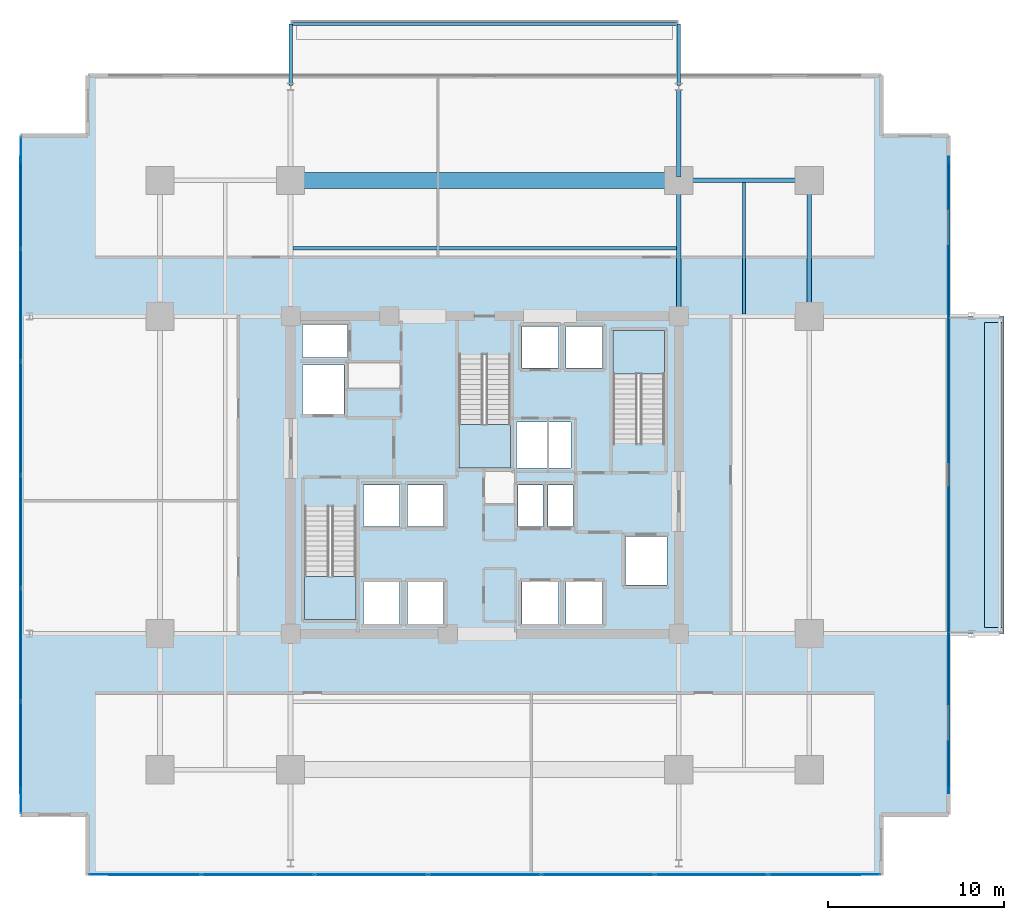
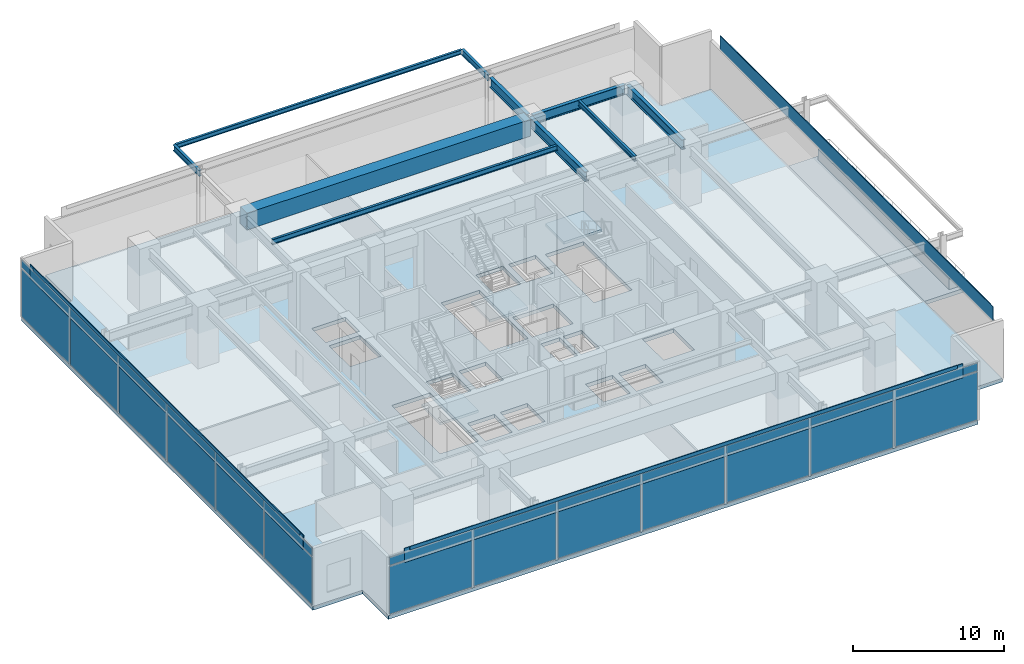
# One storey, part 11 of 20: 32 plates, 10 beams, 6 slabs, 5 elements without a shape of their own.
"""IFC4 building model written with IfcOpenShell, lengths in metres."""

from ifc_helpers import new_model, si_unit, direction, frame, origin, origin_2d, place, context, subcontext, project, spatial, polyline, rectangle, i_section, outline, extrude, material, layer, layer_set, material_profile, profile_set, type_object, element, aggregate, save


model = new_model("IFC4")

# Units and contexts
model_context = context("Model", 3, precision=1e-05, world=origin(), true_north=direction((0.0, 1.0)))
body_context = subcontext(model_context, "Body", "Model", "MODEL_VIEW")
ifc_project = project(units=[si_unit("LENGTHUNIT", "METRE"), si_unit("AREAUNIT", "SQUARE_METRE"), si_unit("VOLUMEUNIT", "CUBIC_METRE"), si_unit("PLANEANGLEUNIT", "RADIAN"), si_unit("MASSUNIT", "GRAM", prefix="KILO")], contexts=[model_context])

# Site, building, storey
site_placement = place(None, origin())
site = spatial("IfcSite", under=ifc_project, at=site_placement, CompositionType="ELEMENT")
building_placement = place(site_placement, origin())
building = spatial("IfcBuilding", under=site, at=building_placement, Name="Kovane Verandah Tower", CompositionType="ELEMENT")
storey_placement = place(building_placement, frame((0.0, 0.0, 123.39990234375)))
storey = spatial("IfcBuildingStorey", under=building, at=storey_placement, Name="L28", CompositionType="ELEMENT", Elevation=123.39990234375)

# Beams
ifc_material_1 = material(Name="Concrete C80/95", Category="concrete")
ifc_material_profile_1 = material_profile(ifc_material_1, rectangle(XDim=0.89990234375, YDim=1.35009765625, at=origin_2d()), Name="RCB900x1350")
ifc_profile_set_1 = profile_set([ifc_material_profile_1], Name="Concrete C80/95")
beam_type_1 = type_object("IfcBeamType", Name="BM-TR-900x1350", PredefinedType="BEAM", material=ifc_profile_set_1)
beam_1_placement = place(storey_placement, frame((29.179931640625, 44.199951171875, 4.10009765625), z_axis=(1.0, 0.0, 0.0), x_axis=(0.0, 1.0, 0.0)))
element("IfcBeam", 1, at=beam_1_placement, inside=storey, type_object=beam_type_1, Name="L28 Primary Tower Girder G-RN2", PredefinedType="BEAM", context=body_context, shape_type="SweptSolid", body=[
    extrude(rectangle(XDim=0.89990234375, YDim=1.35009765625, at=origin_2d()), origin(), (0.0, 0.0, 1.0), 21.64013671875),
])
ifc_material_2 = material(Name="Steel S355", Category="steel")
ifc_material_profile_2 = material_profile(ifc_material_2, i_section(OverallWidth=0.26806640625, OverallDepth=0.769775390625, WebThickness=0.015625, FlangeThickness=0.025390625, FilletRadius=0.0166015625, at=origin_2d()), Name="UB762x267x197")
ifc_profile_set_2 = profile_set([ifc_material_profile_2], Name="Steel S355")
beam_type_2 = type_object("IfcBeamType", Name="BM-UB762x197", PredefinedType="BEAM", material=ifc_profile_set_2)
beam_2_placement = place(storey_placement, frame((51.179931640625, 44.199951171875, 4.39013671875), z_axis=(1.0, 0.0, 0.0), x_axis=(0.0, 1.0, 0.0)))
element("IfcBeam", 2, at=beam_2_placement, inside=storey, type_object=beam_type_2, Name="L28 Primary Tower Girder G-RN3", PredefinedType="BEAM", context=body_context, shape_type="SweptSolid", body=[
    extrude(i_section(OverallWidth=0.26806640625, OverallDepth=0.769775390625, WebThickness=0.015625, FlangeThickness=0.025390625, FilletRadius=0.0166015625, at=origin_2d()), origin(), (0.0, 0.0, 1.0), 7.0400390625),
])
for number, where, z_axis, x_axis, name in (
    (3, (58.39990234375, 36.679931640625, 4.39013671875), (0.0, 1.0, 0.0), (-1.0, 0.0, 0.0), "L28 Primary Tower Girder G-RE3"),
    (4, (51.0, 36.679931640625, 4.39013671875), (0.0, 1.0, 0.0), (-1.0, 0.0, 0.0), "L28 Primary Tower Girder G-N2"),
):
    element("IfcBeam", number, at=place(storey_placement, frame(where, z_axis=z_axis, x_axis=x_axis)), inside=storey, type_object=beam_type_2, Name=name, PredefinedType="BEAM", context=body_context, shape_type="SweptSolid", body=[
        extrude(i_section(OverallWidth=0.26806640625, OverallDepth=0.769775390625, WebThickness=0.015625, FlangeThickness=0.025390625, FilletRadius=0.0166015625, at=origin_2d()), origin(), (0.0, 0.0, 1.0), 7.340087890625),
    ])
beam_3_placement = place(storey_placement, frame((51.0, 44.3798828125, 4.375244140625), z_axis=(0.0, 1.0, 0.0), x_axis=(-1.0, 0.0, 0.0)))
element("IfcBeam", 5, at=beam_3_placement, inside=storey, type_object=beam_type_2, Name="L28 Primary Tower Girder G-VN2", PredefinedType="BEAM", context=body_context, shape_type="SweptSolid", body=[
    extrude(i_section(OverallWidth=0.26806640625, OverallDepth=0.769775390625, WebThickness=0.015625, FlangeThickness=0.025390625, FilletRadius=0.0166015625, at=origin_2d()), origin(), (0.0, 0.0, 1.0), 4.940185546875),
])
ifc_material_profile_3 = material_profile(ifc_material_2, i_section(OverallWidth=0.179443359375, OverallDepth=0.412841796875, WebThickness=0.009521484375, FlangeThickness=0.01611328125, FilletRadius=0.01025390625, at=origin_2d()), Name="UB406x178x74")
ifc_profile_set_3 = profile_set([ifc_material_profile_3], Name="Steel S355")
beam_type_3 = type_object("IfcBeamType", Name="JST-UB406x74", PredefinedType="JOIST", material=ifc_profile_set_3)
beam_4_placement = place(storey_placement, frame((29.132080078125, 40.35009765625, 4.568603515625), z_axis=(1.0, 0.0, 0.0), x_axis=(0.0, 1.0, 0.0)))
element("IfcBeam", 6, at=beam_4_placement, inside=storey, type_object=beam_type_3, Name="L28 Secondary Composite Joist J-N1", PredefinedType="JOIST", context=body_context, shape_type="SweptSolid", body=[
    extrude(i_section(OverallWidth=0.179443359375, OverallDepth=0.412841796875, WebThickness=0.009521484375, FlangeThickness=0.01611328125, FilletRadius=0.01025390625, at=origin_2d()), origin(), (0.0, 0.0, 1.0), 21.73583984375),
])
beam_5_placement = place(storey_placement, frame((54.699951171875, 36.632080078125, 4.568603515625), z_axis=(0.0, 1.0, 0.0), x_axis=(-1.0, 0.0, 0.0)))
element("IfcBeam", 7, at=beam_5_placement, inside=storey, type_object=beam_type_3, Name="L28 Secondary Composite Joist J-NE1", PredefinedType="JOIST", context=body_context, shape_type="SweptSolid", body=[
    extrude(i_section(OverallWidth=0.179443359375, OverallDepth=0.412841796875, WebThickness=0.009521484375, FlangeThickness=0.01611328125, FilletRadius=0.01025390625, at=origin_2d()), origin(), (0.0, 0.0, 1.0), 7.43603515625),
])
ifc_material_profile_4 = material_profile(ifc_material_2, i_section(OverallWidth=0.19287109375, OverallDepth=0.46728515625, WebThickness=0.011474609375, FlangeThickness=0.01953125, FilletRadius=0.01025390625, at=origin_2d()), Name="UB457x191x98")
ifc_profile_set_4 = profile_set([ifc_material_profile_4], Name="Steel S355")
beam_type_4 = type_object("IfcBeamType", Name="JST-UB457x98", PredefinedType="JOIST", material=ifc_profile_set_4)
for number, where, z_axis, x_axis, name in (
    (8, (29.0, 49.580078125, 4.526611328125), (0.0, 1.0, 0.0), (-1.0, 0.0, 0.0), "L28 North Planter Girder 1"),
    (9, (51.0, 49.580078125, 4.526611328125), (0.0, 1.0, 0.0), (-1.0, 0.0, 0.0), "L28 North Planter Girder 2"),
):
    element("IfcBeam", number, at=place(storey_placement, frame(where, z_axis=z_axis, x_axis=x_axis)), inside=storey, type_object=beam_type_4, Name=name, PredefinedType="JOIST", context=body_context, shape_type="SweptSolid", body=[
        extrude(i_section(OverallWidth=0.19287109375, OverallDepth=0.46728515625, WebThickness=0.011474609375, FlangeThickness=0.01953125, FilletRadius=0.01025390625, at=origin_2d()), origin(), (0.0, 0.0, 1.0), 3.469970703125),
    ])
ifc_material_profile_5 = material_profile(ifc_material_2, i_section(OverallWidth=0.173095703125, OverallDepth=0.36328125, WebThickness=0.009033203125, FlangeThickness=0.015625, FilletRadius=0.01025390625, at=origin_2d()), Name="UB356x171x67")
ifc_profile_set_5 = profile_set([ifc_material_profile_5], Name="Steel S355")
beam_type_5 = type_object("IfcBeamType", Name="SPD-UB356x67", PredefinedType="USERDEFINED", material=ifc_profile_set_5)
beam_6_placement = place(storey_placement, frame((29.094482421875, 53.050048828125, 4.578369140625), z_axis=(1.0, 0.0, 0.0), x_axis=(0.0, 1.0, 0.0)))
element("IfcBeam", 10, at=beam_6_placement, inside=storey, type_object=beam_type_5, Name="L28 North Planter Edge Spandrel", ObjectType="SPANDREL", PredefinedType="USERDEFINED", context=body_context, shape_type="SweptSolid", body=[
    extrude(i_section(OverallWidth=0.173095703125, OverallDepth=0.36328125, WebThickness=0.009033203125, FlangeThickness=0.015625, FilletRadius=0.01025390625, at=origin_2d()), origin(), (0.0, 0.0, 1.0), 21.81103515625),
])

# Curtain wall, plates
ifc_material_3 = material(Name="Champagne Anodised Aluminium Frame with Low-E Clear Laminated Glass", Category="aluminium")
curtain_wall_type = type_object("IfcCurtainWallType", Name="CW-SYS-03-MID", PredefinedType="NOTDEFINED", material=ifc_material_3)
curtain_wall_1_placement = place(storey_placement, origin())
curtain_wall_1 = element("IfcCurtainWall", 11, at=curtain_wall_1_placement, inside=storey, type_object=curtain_wall_type, Name="L28 S Unitised Curtain Wall", PredefinedType="NOTDEFINED")
ifc_material_4 = material(Name="Pale Champagne Anodised Aluminium Insulated Spandrel", Category="aluminium")
ifc_layer_1 = layer(ifc_material_4, 0.0400390625)
ifc_layer_set_1 = layer_set([ifc_layer_1], Name="Pale Champagne Anodised Aluminium Insulated Spandrel")
plate_type_1 = type_object("IfcPlateType", Name="PL-CW-SPD-40", PredefinedType="SHEET", material=ifc_layer_set_1)
plate_1_placement = place(storey_placement, frame((20.7275390625, 4.86083984375, 4.044921875), z_axis=(0.0, 0.0, 1.0), x_axis=(1.0, 0.0, 0.0)))
plate_1 = element("IfcPlate", 12, at=plate_1_placement, type_object=plate_type_1, Name="L28 S Unitised Curtain Wall Spandrel Panel 1", PredefinedType="SHEET", context=body_context, shape_type="SweptSolid", body=[
    extrude(rectangle(XDim=6.2841796875, YDim=0.0400390625, at=origin_2d()), origin(), (0.0, 0.0, 1.0), 0.639892578125),
])
plate_2_placement = place(storey_placement, frame((27.151611328125, 4.86083984375, 4.044921875), z_axis=(0.0, 0.0, 1.0), x_axis=(1.0, 0.0, 0.0)))
plate_2 = element("IfcPlate", 13, at=plate_2_placement, type_object=plate_type_1, Name="L28 S Unitised Curtain Wall Spandrel Panel 2", PredefinedType="SHEET", context=body_context, shape_type="SweptSolid", body=[
    extrude(rectangle(XDim=6.2841796875, YDim=0.0400390625, at=origin_2d()), origin(), (0.0, 0.0, 1.0), 0.639892578125),
])
plate_3_placement = place(storey_placement, frame((33.57568359375, 4.86083984375, 4.044921875), z_axis=(0.0, 0.0, 1.0), x_axis=(1.0, 0.0, 0.0)))
plate_3 = element("IfcPlate", 14, at=plate_3_placement, type_object=plate_type_1, Name="L28 S Unitised Curtain Wall Spandrel Panel 3", PredefinedType="SHEET", context=body_context, shape_type="SweptSolid", body=[
    extrude(rectangle(XDim=6.2841796875, YDim=0.0400390625, at=origin_2d()), origin(), (0.0, 0.0, 1.0), 0.639892578125),
])
plate_4_placement = place(storey_placement, frame((40.0, 4.86083984375, 4.044921875), z_axis=(0.0, 0.0, 1.0), x_axis=(1.0, 0.0, 0.0)))
plate_4 = element("IfcPlate", 15, at=plate_4_placement, type_object=plate_type_1, Name="L28 S Unitised Curtain Wall Spandrel Panel 4", PredefinedType="SHEET", context=body_context, shape_type="SweptSolid", body=[
    extrude(rectangle(XDim=6.2841796875, YDim=0.0400390625, at=origin_2d()), origin(), (0.0, 0.0, 1.0), 0.639892578125),
])
plate_5_placement = place(storey_placement, frame((46.42431640625, 4.86083984375, 4.044921875), z_axis=(0.0, 0.0, 1.0), x_axis=(1.0, 0.0, 0.0)))
plate_5 = element("IfcPlate", 16, at=plate_5_placement, type_object=plate_type_1, Name="L28 S Unitised Curtain Wall Spandrel Panel 5", PredefinedType="SHEET", context=body_context, shape_type="SweptSolid", body=[
    extrude(rectangle(XDim=6.2841796875, YDim=0.0400390625, at=origin_2d()), origin(), (0.0, 0.0, 1.0), 0.639892578125),
])
plate_6_placement = place(storey_placement, frame((52.848388671875, 4.86083984375, 4.044921875), z_axis=(0.0, 0.0, 1.0), x_axis=(1.0, 0.0, 0.0)))
plate_6 = element("IfcPlate", 17, at=plate_6_placement, type_object=plate_type_1, Name="L28 S Unitised Curtain Wall Spandrel Panel 6", PredefinedType="SHEET", context=body_context, shape_type="SweptSolid", body=[
    extrude(rectangle(XDim=6.2841796875, YDim=0.0400390625, at=origin_2d()), origin(), (0.0, 0.0, 1.0), 0.639892578125),
])
plate_7_placement = place(storey_placement, frame((59.2724609375, 4.86083984375, 4.044921875), z_axis=(0.0, 0.0, 1.0), x_axis=(1.0, 0.0, 0.0)))
plate_7 = element("IfcPlate", 18, at=plate_7_placement, type_object=plate_type_1, Name="L28 S Unitised Curtain Wall Spandrel Panel 7", PredefinedType="SHEET", context=body_context, shape_type="SweptSolid", body=[
    extrude(rectangle(XDim=6.2841796875, YDim=0.0400390625, at=origin_2d()), origin(), (0.0, 0.0, 1.0), 0.639892578125),
])

curtain_wall_2_placement = place(storey_placement, origin())
curtain_wall_2 = element("IfcCurtainWall", 19, at=curtain_wall_2_placement, inside=storey, type_object=curtain_wall_type, Name="L28 W Unitised Curtain Wall", PredefinedType="NOTDEFINED")
plate_8_placement = place(storey_placement, frame((13.71533203125, 43.53271484375, 4.044921875), z_axis=(0.0, 0.0, 1.0), x_axis=(0.0, -1.0, 0.0)))
plate_8 = element("IfcPlate", 20, at=plate_8_placement, type_object=plate_type_1, Name="L28 W Unitised Curtain Wall Spandrel Panel 1", PredefinedType="SHEET", context=body_context, shape_type="SweptSolid", body=[
    extrude(rectangle(XDim=6.273193359375, YDim=0.0400390625, at=origin_2d()), origin(), (0.0, 0.0, 1.0), 0.639892578125),
])
plate_9_placement = place(storey_placement, frame((13.71533203125, 37.11962890625, 4.044921875), z_axis=(0.0, 0.0, 1.0), x_axis=(0.0, -1.0, 0.0)))
plate_9 = element("IfcPlate", 21, at=plate_9_placement, type_object=plate_type_1, Name="L28 W Unitised Curtain Wall Spandrel Panel 2", PredefinedType="SHEET", context=body_context, shape_type="SweptSolid", body=[
    extrude(rectangle(XDim=6.273193359375, YDim=0.0400390625, at=origin_2d()), origin(), (0.0, 0.0, 1.0), 0.639892578125),
])
plate_10_placement = place(storey_placement, frame((13.71533203125, 30.70654296875, 4.044921875), z_axis=(0.0, 0.0, 1.0), x_axis=(0.0, -1.0, 0.0)))
plate_10 = element("IfcPlate", 22, at=plate_10_placement, type_object=plate_type_1, Name="L28 W Unitised Curtain Wall Spandrel Panel 3", PredefinedType="SHEET", context=body_context, shape_type="SweptSolid", body=[
    extrude(rectangle(XDim=6.273193359375, YDim=0.0400390625, at=origin_2d()), origin(), (0.0, 0.0, 1.0), 0.639892578125),
])
plate_11_placement = place(storey_placement, frame((13.71533203125, 24.29345703125, 4.044921875), z_axis=(0.0, 0.0, 1.0), x_axis=(0.0, -1.0, 0.0)))
plate_11 = element("IfcPlate", 23, at=plate_11_placement, type_object=plate_type_1, Name="L28 W Unitised Curtain Wall Spandrel Panel 4", PredefinedType="SHEET", context=body_context, shape_type="SweptSolid", body=[
    extrude(rectangle(XDim=6.273193359375, YDim=0.0400390625, at=origin_2d()), origin(), (0.0, 0.0, 1.0), 0.639892578125),
])
plate_12_placement = place(storey_placement, frame((13.71533203125, 17.88037109375, 4.044921875), z_axis=(0.0, 0.0, 1.0), x_axis=(0.0, -1.0, 0.0)))
plate_12 = element("IfcPlate", 24, at=plate_12_placement, type_object=plate_type_1, Name="L28 W Unitised Curtain Wall Spandrel Panel 5", PredefinedType="SHEET", context=body_context, shape_type="SweptSolid", body=[
    extrude(rectangle(XDim=6.273193359375, YDim=0.0400390625, at=origin_2d()), origin(), (0.0, 0.0, 1.0), 0.639892578125),
])
plate_13_placement = place(storey_placement, frame((13.71533203125, 11.46728515625, 4.044921875), z_axis=(0.0, 0.0, 1.0), x_axis=(0.0, -1.0, 0.0)))
plate_13 = element("IfcPlate", 25, at=plate_13_placement, type_object=plate_type_1, Name="L28 W Unitised Curtain Wall Spandrel Panel 6", PredefinedType="SHEET", context=body_context, shape_type="SweptSolid", body=[
    extrude(rectangle(XDim=6.273193359375, YDim=0.0400390625, at=origin_2d()), origin(), (0.0, 0.0, 1.0), 0.639892578125),
])

# Plate
ifc_material_5 = material(Name="Clear Low-E Laminated Double Glazing", Category="glass")
ifc_layer_2 = layer(ifc_material_5, 0.031982421875)
ifc_layer_set_2 = layer_set([ifc_layer_2], Name="Clear Low-E Laminated Double Glazing")
plate_type_2 = type_object("IfcPlateType", Name="PL-CW-VIS-32", PredefinedType="CURTAIN_PANEL", material=ifc_layer_set_2)
plate_14_placement = place(storey_placement, frame((20.7275390625, 4.86083984375, 0.10009765625), z_axis=(0.0, 0.0, 1.0), x_axis=(1.0, 0.0, 0.0)))
plate_14 = element("IfcPlate", 26, at=plate_14_placement, type_object=plate_type_2, Name="L28 S Unitised Curtain Wall Vision Panel 1", PredefinedType="CURTAIN_PANEL", context=body_context, shape_type="SweptSolid", body=[
    extrude(rectangle(XDim=6.2841796875, YDim=0.031982421875, at=origin_2d()), origin(), (0.0, 0.0, 1.0), 3.844970703125),
])

plate_15_placement = place(storey_placement, frame((27.151611328125, 4.86083984375, 0.10009765625), z_axis=(0.0, 0.0, 1.0), x_axis=(1.0, 0.0, 0.0)))
plate_15 = element("IfcPlate", 27, at=plate_15_placement, type_object=plate_type_2, Name="L28 S Unitised Curtain Wall Vision Panel 2", PredefinedType="CURTAIN_PANEL", context=body_context, shape_type="SweptSolid", body=[
    extrude(rectangle(XDim=6.2841796875, YDim=0.031982421875, at=origin_2d()), origin(), (0.0, 0.0, 1.0), 3.844970703125),
])

plate_16_placement = place(storey_placement, frame((33.57568359375, 4.86083984375, 0.10009765625), z_axis=(0.0, 0.0, 1.0), x_axis=(1.0, 0.0, 0.0)))
plate_16 = element("IfcPlate", 28, at=plate_16_placement, type_object=plate_type_2, Name="L28 S Unitised Curtain Wall Vision Panel 3", PredefinedType="CURTAIN_PANEL", context=body_context, shape_type="SweptSolid", body=[
    extrude(rectangle(XDim=6.2841796875, YDim=0.031982421875, at=origin_2d()), origin(), (0.0, 0.0, 1.0), 3.844970703125),
])

plate_17_placement = place(storey_placement, frame((40.0, 4.86083984375, 0.10009765625), z_axis=(0.0, 0.0, 1.0), x_axis=(1.0, 0.0, 0.0)))
plate_17 = element("IfcPlate", 29, at=plate_17_placement, type_object=plate_type_2, Name="L28 S Unitised Curtain Wall Vision Panel 4", PredefinedType="CURTAIN_PANEL", context=body_context, shape_type="SweptSolid", body=[
    extrude(rectangle(XDim=6.2841796875, YDim=0.031982421875, at=origin_2d()), origin(), (0.0, 0.0, 1.0), 3.844970703125),
])

plate_18_placement = place(storey_placement, frame((46.42431640625, 4.86083984375, 0.10009765625), z_axis=(0.0, 0.0, 1.0), x_axis=(1.0, 0.0, 0.0)))
plate_18 = element("IfcPlate", 30, at=plate_18_placement, type_object=plate_type_2, Name="L28 S Unitised Curtain Wall Vision Panel 5", PredefinedType="CURTAIN_PANEL", context=body_context, shape_type="SweptSolid", body=[
    extrude(rectangle(XDim=6.2841796875, YDim=0.031982421875, at=origin_2d()), origin(), (0.0, 0.0, 1.0), 3.844970703125),
])

plate_19_placement = place(storey_placement, frame((52.848388671875, 4.86083984375, 0.10009765625), z_axis=(0.0, 0.0, 1.0), x_axis=(1.0, 0.0, 0.0)))
plate_19 = element("IfcPlate", 31, at=plate_19_placement, type_object=plate_type_2, Name="L28 S Unitised Curtain Wall Vision Panel 6", PredefinedType="CURTAIN_PANEL", context=body_context, shape_type="SweptSolid", body=[
    extrude(rectangle(XDim=6.2841796875, YDim=0.031982421875, at=origin_2d()), origin(), (0.0, 0.0, 1.0), 3.844970703125),
])

plate_20_placement = place(storey_placement, frame((59.2724609375, 4.86083984375, 0.10009765625), z_axis=(0.0, 0.0, 1.0), x_axis=(1.0, 0.0, 0.0)))
plate_20 = element("IfcPlate", 32, at=plate_20_placement, type_object=plate_type_2, Name="L28 S Unitised Curtain Wall Vision Panel 7", PredefinedType="CURTAIN_PANEL", context=body_context, shape_type="SweptSolid", body=[
    extrude(rectangle(XDim=6.2841796875, YDim=0.031982421875, at=origin_2d()), origin(), (0.0, 0.0, 1.0), 3.844970703125),
])

aggregate(curtain_wall_1, [plate_14, plate_1, plate_15, plate_2, plate_16, plate_3, plate_17, plate_4, plate_18, plate_5, plate_19, plate_6, plate_20, plate_7])

plate_21_placement = place(storey_placement, frame((13.71533203125, 43.53271484375, 0.10009765625), z_axis=(0.0, 0.0, 1.0), x_axis=(0.0, -1.0, 0.0)))
plate_21 = element("IfcPlate", 33, at=plate_21_placement, type_object=plate_type_2, Name="L28 W Unitised Curtain Wall Vision Panel 1", PredefinedType="CURTAIN_PANEL", context=body_context, shape_type="SweptSolid", body=[
    extrude(rectangle(XDim=6.273193359375, YDim=0.031982421875, at=origin_2d()), origin(), (0.0, 0.0, 1.0), 3.844970703125),
])

plate_22_placement = place(storey_placement, frame((13.71533203125, 37.11962890625, 0.10009765625), z_axis=(0.0, 0.0, 1.0), x_axis=(0.0, -1.0, 0.0)))
plate_22 = element("IfcPlate", 34, at=plate_22_placement, type_object=plate_type_2, Name="L28 W Unitised Curtain Wall Vision Panel 2", PredefinedType="CURTAIN_PANEL", context=body_context, shape_type="SweptSolid", body=[
    extrude(rectangle(XDim=6.273193359375, YDim=0.031982421875, at=origin_2d()), origin(), (0.0, 0.0, 1.0), 3.844970703125),
])

plate_23_placement = place(storey_placement, frame((13.71533203125, 30.70654296875, 0.10009765625), z_axis=(0.0, 0.0, 1.0), x_axis=(0.0, -1.0, 0.0)))
plate_23 = element("IfcPlate", 35, at=plate_23_placement, type_object=plate_type_2, Name="L28 W Unitised Curtain Wall Vision Panel 3", PredefinedType="CURTAIN_PANEL", context=body_context, shape_type="SweptSolid", body=[
    extrude(rectangle(XDim=6.273193359375, YDim=0.031982421875, at=origin_2d()), origin(), (0.0, 0.0, 1.0), 3.844970703125),
])

plate_24_placement = place(storey_placement, frame((13.71533203125, 24.29345703125, 0.10009765625), z_axis=(0.0, 0.0, 1.0), x_axis=(0.0, -1.0, 0.0)))
plate_24 = element("IfcPlate", 36, at=plate_24_placement, type_object=plate_type_2, Name="L28 W Unitised Curtain Wall Vision Panel 4", PredefinedType="CURTAIN_PANEL", context=body_context, shape_type="SweptSolid", body=[
    extrude(rectangle(XDim=6.273193359375, YDim=0.031982421875, at=origin_2d()), origin(), (0.0, 0.0, 1.0), 3.844970703125),
])

plate_25_placement = place(storey_placement, frame((13.71533203125, 17.88037109375, 0.10009765625), z_axis=(0.0, 0.0, 1.0), x_axis=(0.0, -1.0, 0.0)))
plate_25 = element("IfcPlate", 37, at=plate_25_placement, type_object=plate_type_2, Name="L28 W Unitised Curtain Wall Vision Panel 5", PredefinedType="CURTAIN_PANEL", context=body_context, shape_type="SweptSolid", body=[
    extrude(rectangle(XDim=6.273193359375, YDim=0.031982421875, at=origin_2d()), origin(), (0.0, 0.0, 1.0), 3.844970703125),
])

plate_26_placement = place(storey_placement, frame((13.71533203125, 11.46728515625, 0.10009765625), z_axis=(0.0, 0.0, 1.0), x_axis=(0.0, -1.0, 0.0)))
plate_26 = element("IfcPlate", 38, at=plate_26_placement, type_object=plate_type_2, Name="L28 W Unitised Curtain Wall Vision Panel 6", PredefinedType="CURTAIN_PANEL", context=body_context, shape_type="SweptSolid", body=[
    extrude(rectangle(XDim=6.273193359375, YDim=0.031982421875, at=origin_2d()), origin(), (0.0, 0.0, 1.0), 3.844970703125),
])

aggregate(curtain_wall_2, [plate_21, plate_8, plate_22, plate_9, plate_23, plate_10, plate_24, plate_11, plate_25, plate_12, plate_26, plate_13])

# Plates
ifc_material_6 = material(Name="Perforated Pale Champagne Anodised Aluminium Solar Screen", Category="aluminium")
ifc_layer_3 = layer(ifc_material_6, 0.050048828125)
ifc_layer_set_3 = layer_set([ifc_layer_3], Name="Perforated Pale Champagne Anodised Aluminium Solar Screen")
plate_type_3 = type_object("IfcPlateType", Name="PL-SCREEN-50", PredefinedType="USERDEFINED", material=ifc_layer_set_3)
plate_27_placement = place(storey_placement, frame((40.0, 4.845703125, 3.875244140625), z_axis=(0.0, 0.0, 1.0), x_axis=(1.0, 0.0, 0.0)))
element("IfcPlate", 39, at=plate_27_placement, inside=storey, type_object=plate_type_3, Name="L28 S Perforated Champagne-Gold Solar Screen", ObjectType="SCREEN", PredefinedType="USERDEFINED", context=body_context, shape_type="SweptSolid", body=[
    extrude(rectangle(XDim=42.569091796875, YDim=0.050048828125, at=origin_2d()), origin(), (0.0, 0.0, 1.0), 1.14990234375),
])
for number, where, z_axis, x_axis, name in (
    (40, (66.299560546875, 27.5, 3.875244140625), (0.0, 0.0, 1.0), (0.0, 1.0, 0.0), "L28 E Perforated Champagne-Gold Solar Screen"),
    (41, (13.700439453125, 27.5, 3.875244140625), (0.0, 0.0, 1.0), (0.0, -1.0, 0.0), "L28 W Perforated Champagne-Gold Solar Screen"),
):
    element("IfcPlate", number, at=place(storey_placement, frame(where, z_axis=z_axis, x_axis=x_axis)), inside=storey, type_object=plate_type_3, Name=name, ObjectType="SCREEN", PredefinedType="USERDEFINED", context=body_context, shape_type="SweptSolid", body=[
        extrude(rectangle(XDim=36.077880859375, YDim=0.050048828125, at=origin_2d()), origin(), (0.0, 0.0, 1.0), 1.14990234375),
    ])
ifc_material_7 = material(Name="Extruded Pale-Bronze Aluminium Aerofoil Sunshade", Category="aluminium")
ifc_layer_4 = layer(ifc_material_7, 0.06005859375)
ifc_layer_set_4 = layer_set([ifc_layer_4], Name="Extruded Pale-Bronze Aluminium Aerofoil Sunshade")
plate_type_4 = type_object("IfcPlateType", Name="PL-SUNSHADE-60", PredefinedType="USERDEFINED", material=ifc_layer_set_4)
plate_28_placement = place(storey_placement, frame((40.0, 4.8408203125, 4.7548828125), z_axis=(0.0, 0.0, 1.0), x_axis=(1.0, 0.0, 0.0)))
element("IfcPlate", 42, at=plate_28_placement, inside=storey, type_object=plate_type_4, Name="L28 S Subtropical Aerofoil Sunshade", ObjectType="SUNSHADE", PredefinedType="USERDEFINED", context=body_context, shape_type="SweptSolid", body=[
    extrude(rectangle(XDim=41.76904296875, YDim=0.06005859375, at=origin_2d()), origin(), (0.0, 0.0, 1.0), 0.280029296875),
])
for number, where, z_axis, x_axis, name in (
    (43, (66.3046875, 27.5, 4.7548828125), (0.0, 0.0, 1.0), (0.0, 1.0, 0.0), "L28 E Subtropical Aerofoil Sunshade"),
    (44, (13.6953125, 27.5, 4.7548828125), (0.0, 0.0, 1.0), (0.0, -1.0, 0.0), "L28 W Subtropical Aerofoil Sunshade"),
):
    element("IfcPlate", number, at=place(storey_placement, frame(where, z_axis=z_axis, x_axis=x_axis)), inside=storey, type_object=plate_type_4, Name=name, ObjectType="SUNSHADE", PredefinedType="USERDEFINED", context=body_context, shape_type="SweptSolid", body=[
        extrude(rectangle(XDim=35.278076171875, YDim=0.06005859375, at=origin_2d()), origin(), (0.0, 0.0, 1.0), 0.280029296875),
    ])

# Slabs
ifc_material_8 = material(Name="Concrete C45/55", Category="concrete")
ifc_layer_5 = layer(ifc_material_8, 0.300048828125)
ifc_layer_set_5 = layer_set([ifc_layer_5], Name="Concrete C45/55")
slab_type_1 = type_object("IfcSlabType", Name="SL-BALC-300", PredefinedType="FLOOR", material=ifc_layer_set_5)
slab_1_placement = place(storey_placement, frame((0.0, 0.0, -0.2998046875)))
element("IfcSlab", 45, at=slab_1_placement, inside=storey, type_object=slab_type_1, Name="L28 E Planted Verandah Balcony Slab", PredefinedType="FLOOR", context=body_context, shape_type="SweptSolid", body=[
    extrude(outline(polyline([(66.28466796875, 18.5), (69.4345703125, 18.5), (69.4345703125, 36.5), (66.28466796875, 36.5), (66.28466796875, 18.5)])), origin(), (0.0, 0.0, 1.0), 0.2998046875),
])
ifc_material_9 = material(Name="Concrete C60/75", Category="concrete")
ifc_layer_6 = layer(ifc_material_9, 0.300048828125)
ifc_layer_set_6 = layer_set([ifc_layer_6], Name="Concrete C60/75")
slab_type_2 = type_object("IfcSlabType", Name="SL-HVY-300", PredefinedType="FLOOR", material=ifc_layer_set_6)
slab_2_placement = place(storey_placement, frame((0.0, 0.0, -0.2998046875)))
element("IfcSlab", 46, at=slab_2_placement, inside=storey, type_object=slab_type_2, Name="L28 Structural Floor Slab", PredefinedType="FLOOR", context=body_context, shape_type="SweptSolid", body=[
    extrude(outline(polyline([(17.515380859375, 4.86083984375), (62.484619140625, 4.86083984375), (62.484619140625, 8.2607421875), (66.28466796875, 8.2607421875), (66.28466796875, 46.7392578125), (62.484619140625, 46.7392578125), (62.484619140625, 50.13916015625), (17.515380859375, 50.13916015625), (17.515380859375, 46.7392578125), (13.71533203125, 46.7392578125), (13.71533203125, 8.2607421875), (17.515380859375, 8.2607421875), (17.515380859375, 4.86083984375)]), holes=[polyline([(29.800048828125, 19.300048828125), (32.719970703125, 19.300048828125), (32.719970703125, 25.705078125), (29.800048828125, 25.705078125), (29.800048828125, 19.300048828125)]), polyline([(47.280029296875, 29.294921875), (50.199951171875, 29.294921875), (50.199951171875, 35.699951171875), (47.280029296875, 35.699951171875), (47.280029296875, 29.294921875)]), polyline([(38.5400390625, 27.89990234375), (41.4599609375, 27.89990234375), (41.4599609375, 34.304931640625), (38.5400390625, 34.304931640625), (38.5400390625, 27.89990234375)]), polyline([(29.669921875, 30.969970703125), (32.030029296875, 30.969970703125), (32.030029296875, 33.72998046875), (29.669921875, 33.72998046875), (29.669921875, 30.969970703125)]), polyline([(47.969970703125, 21.27001953125), (50.330078125, 21.27001953125), (50.330078125, 24.030029296875), (47.969970703125, 24.030029296875), (47.969970703125, 21.27001953125)]), polyline([(29.669921875, 34.169921875), (32.22998046875, 34.169921875), (32.22998046875, 36.030029296875), (29.669921875, 36.030029296875), (29.669921875, 34.169921875)]), polyline([(33.1201171875, 19.070068359375), (35.179931640625, 19.070068359375), (35.179931640625, 21.429931640625), (33.1201171875, 21.429931640625), (33.1201171875, 19.070068359375)]), polyline([(35.6201171875, 19.070068359375), (37.679931640625, 19.070068359375), (37.679931640625, 21.429931640625), (35.6201171875, 21.429931640625), (35.6201171875, 19.070068359375)]), polyline([(33.1201171875, 24.570068359375), (35.179931640625, 24.570068359375), (35.179931640625, 26.929931640625), (33.1201171875, 26.929931640625), (33.1201171875, 24.570068359375)]), polyline([(35.6201171875, 24.570068359375), (37.679931640625, 24.570068359375), (37.679931640625, 26.929931640625), (35.6201171875, 26.929931640625), (35.6201171875, 24.570068359375)]), polyline([(42.1201171875, 19.070068359375), (44.179931640625, 19.070068359375), (44.179931640625, 21.429931640625), (42.1201171875, 21.429931640625), (42.1201171875, 19.070068359375)]), polyline([(44.6201171875, 19.070068359375), (46.679931640625, 19.070068359375), (46.679931640625, 21.429931640625), (44.6201171875, 21.429931640625), (44.6201171875, 19.070068359375)]), polyline([(41.8798828125, 24.570068359375), (43.320068359375, 24.570068359375), (43.320068359375, 26.929931640625), (41.8798828125, 26.929931640625), (41.8798828125, 24.570068359375)]), polyline([(43.580078125, 24.570068359375), (45.0, 24.570068359375), (45.0, 26.929931640625), (43.580078125, 26.929931640625), (43.580078125, 24.570068359375)]), polyline([(42.1201171875, 33.570068359375), (44.179931640625, 33.570068359375), (44.179931640625, 35.929931640625), (42.1201171875, 35.929931640625), (42.1201171875, 33.570068359375)]), polyline([(44.6201171875, 33.570068359375), (46.679931640625, 33.570068359375), (46.679931640625, 35.929931640625), (44.6201171875, 35.929931640625), (44.6201171875, 33.570068359375)]), polyline([(41.800048828125, 27.89990234375), (44.89990234375, 27.89990234375), (44.89990234375, 30.5), (41.800048828125, 30.5), (41.800048828125, 27.89990234375)])]), origin(), (0.0, 0.0, 1.0), 0.2998046875),
])

# Stair, slab
stair_type = type_object("IfcStairType", Name="ST-CORE-1380", PredefinedType="HALF_TURN_STAIR", material=ifc_material_8)
stair_1_placement = place(storey_placement, origin())
stair_1 = element("IfcStair", 47, at=stair_1_placement, inside=storey, type_object=stair_type, Name="L28 Exit Stair ST-01", PredefinedType="HALF_TURN_STAIR")
ifc_layer_7 = layer(ifc_material_8, 0.199951171875)
ifc_layer_set_7 = layer_set([ifc_layer_7], Name="Concrete C45/55")
slab_type_3 = type_object("IfcSlabType", Name="SL-LAND-200", PredefinedType="LANDING", material=ifc_layer_set_7)
slab_3_placement = place(storey_placement, frame((0.0, 0.0, 2.300048828125)))
slab_3 = element("IfcSlab", 48, at=slab_3_placement, type_object=slab_type_3, Name="ST-01 landing 1", PredefinedType="LANDING", context=body_context, shape_type="SweptSolid", body=[
    extrude(outline(polyline([(29.800048828125, 21.760009765625), (29.800048828125, 19.300048828125), (32.719970703125, 19.300048828125), (32.719970703125, 21.760009765625), (29.800048828125, 21.760009765625)])), origin(), (0.0, 0.0, 1.0), 0.199951171875),
])
aggregate(stair_1, [slab_3])

stair_2_placement = place(storey_placement, origin())
stair_2 = element("IfcStair", 49, at=stair_2_placement, inside=storey, type_object=stair_type, Name="L28 Exit Stair ST-02", PredefinedType="HALF_TURN_STAIR")
slab_4_placement = place(storey_placement, frame((0.0, 0.0, 2.300048828125)))
slab_4 = element("IfcSlab", 50, at=slab_4_placement, type_object=slab_type_3, Name="ST-02 landing 1", PredefinedType="LANDING", context=body_context, shape_type="SweptSolid", body=[
    extrude(outline(polyline([(50.199951171875, 33.239990234375), (50.199951171875, 35.699951171875), (47.280029296875, 35.699951171875), (47.280029296875, 33.239990234375), (50.199951171875, 33.239990234375)])), origin(), (0.0, 0.0, 1.0), 0.199951171875),
])
aggregate(stair_2, [slab_4])

stair_3_placement = place(storey_placement, origin())
stair_3 = element("IfcStair", 51, at=stair_3_placement, inside=storey, type_object=stair_type, Name="L28 Exit Stair ST-03", PredefinedType="HALF_TURN_STAIR")
slab_5_placement = place(storey_placement, frame((0.0, 0.0, 2.300048828125)))
slab_5 = element("IfcSlab", 52, at=slab_5_placement, type_object=slab_type_3, Name="ST-03 landing 1", PredefinedType="LANDING", context=body_context, shape_type="SweptSolid", body=[
    extrude(outline(polyline([(38.5400390625, 30.360107421875), (38.5400390625, 27.89990234375), (41.4599609375, 27.89990234375), (41.4599609375, 30.360107421875), (38.5400390625, 30.360107421875)])), origin(), (0.0, 0.0, 1.0), 0.199951171875),
])
aggregate(stair_3, [slab_5])

# Slab
ifc_material_10 = material(Name="Architectural Precast Concrete C45/55 Planter Trough", Category="concrete")
ifc_layer_8 = layer(ifc_material_10, 0.219970703125)
ifc_layer_set_8 = layer_set([ifc_layer_8], Name="Architectural Precast Concrete C45/55 Planter Trough")
slab_type_4 = type_object("IfcSlabType", Name="SL-PLANTER-220", PredefinedType="USERDEFINED", material=ifc_layer_set_8)
slab_6_placement = place(storey_placement, origin())
element("IfcSlab", 53, at=slab_6_placement, inside=storey, type_object=slab_type_4, Name="L28 E Structural Tree Planter", ObjectType="PLANTER", PredefinedType="USERDEFINED", context=body_context, shape_type="SweptSolid", body=[
    extrude(outline(polyline([(68.334716796875, 18.85009765625), (69.334716796875, 18.85009765625), (69.334716796875, 36.14990234375), (68.334716796875, 36.14990234375), (68.334716796875, 18.85009765625)])), origin(), (0.0, 0.0, 1.0), 0.85009765625),
])

save(model, "model.ifc")
